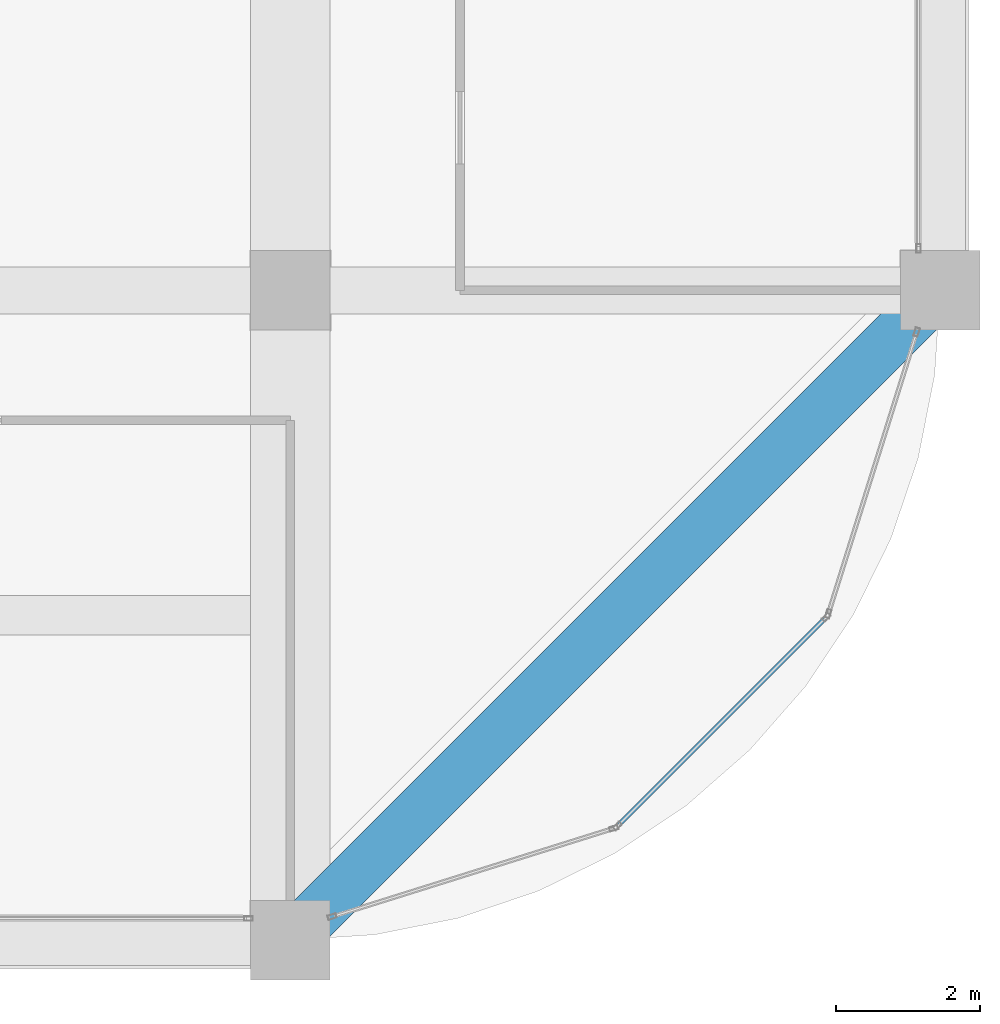
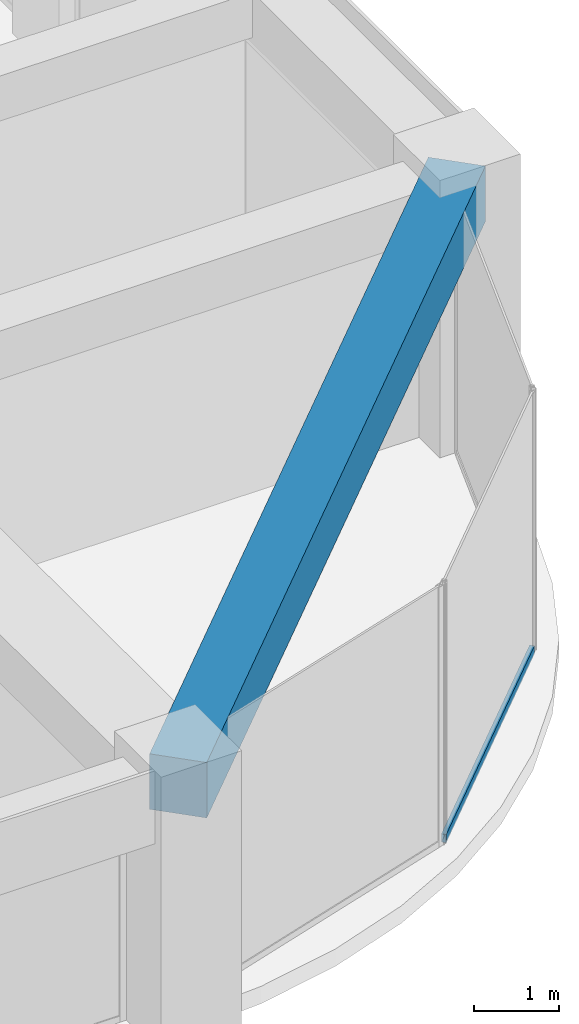
# One storey, part 19 of 44: 1 beam, 1 member, 1 element without a shape of its own.
"""IFC4 building model written with IfcOpenShell, lengths in metres."""

from ifc_helpers import new_model, si_unit, direction, frame, origin, origin_2d, place, context, subcontext, project, spatial, rectangle, hollow_rectangle, extrude, material, material_profile, profile_set, type_object, element, aggregate, save


model = new_model("IFC4")

# Units and contexts
model_context = context("Model", 3, precision=1e-05, world=origin(), true_north=direction((0.0, 1.0)))
body_context = subcontext(model_context, "Body", "Model", "MODEL_VIEW")
ifc_project = project(units=[si_unit("LENGTHUNIT", "METRE"), si_unit("AREAUNIT", "SQUARE_METRE"), si_unit("VOLUMEUNIT", "CUBIC_METRE"), si_unit("PLANEANGLEUNIT", "RADIAN"), si_unit("MASSUNIT", "GRAM", prefix="KILO")], contexts=[model_context])

# Site, building, storey
site_placement = place(None, origin())
site = spatial("IfcSite", under=ifc_project, at=site_placement, CompositionType="ELEMENT")
building_placement = place(site_placement, origin())
building = spatial("IfcBuilding", under=site, at=building_placement, Name="Zorevar Civic Tower", CompositionType="ELEMENT")
storey_placement = place(building_placement, frame((0.0, 0.0, 287.39990234375)))
storey = spatial("IfcBuildingStorey", under=building, at=storey_placement, Name="L70", CompositionType="ELEMENT", Elevation=287.39990234375)

# Curtain wall, member
ifc_material_1 = material(Name="Dark grey solar-control glass in black aluminium frame", Category="aluminium")
curtain_wall_type = type_object("IfcCurtainWallType", Name="Curtain wall CW5 top zone", PredefinedType="NOTDEFINED", material=ifc_material_1)
curtain_wall_placement = place(storey_placement, origin())
curtain_wall = element("IfcCurtainWall", 1, at=curtain_wall_placement, inside=storey, type_object=curtain_wall_type, Name="CW5 L70", PredefinedType="NOTDEFINED")
ifc_material_2 = material(Name="Aluminium, black anodised", Category="aluminium")
ifc_material_profile_1 = material_profile(ifc_material_2, hollow_rectangle(XDim=0.06005859375, YDim=0.1201171875, WallThickness=0.0029296875, at=origin_2d()), Name="AL 120x60x3")
ifc_profile_set_1 = profile_set([ifc_material_profile_1], Name="Aluminium, black anodised")
member_type = type_object("IfcMemberType", Name="CW5 transom AL 120x60x3", PredefinedType="USERDEFINED", material=ifc_profile_set_1)
member_placement = place(storey_placement, frame((49.55029296875, 1.6015625, 0.030029296875), z_axis=(0.707106781187, 0.707106781187, 0.0), x_axis=(-0.707106781187, 0.707106781187, 0.0)))
member = element("IfcMember", 2, at=member_placement, type_object=member_type, Name="CW5 sill transom", ObjectType="TRANSOM", PredefinedType="USERDEFINED", context=body_context, shape_type="SweptSolid", body=[
    extrude(hollow_rectangle(XDim=0.06005859375, YDim=0.1201171875, WallThickness=0.0029296875, at=origin_2d()), origin(), (0.0, 0.0, 1.0), 4.02783203125),
])
aggregate(curtain_wall, [member])

# Beam
ifc_material_3 = material(Name="Concrete C50/60", Category="concrete")
ifc_material_profile_2 = material_profile(ifc_material_3, rectangle(XDim=0.699951171875, YDim=0.800048828125, at=origin_2d()), Name="RC 700x800")
ifc_profile_set_2 = profile_set([ifc_material_profile_2], Name="Concrete C50/60")
beam_type = type_object("IfcBeamType", Name="Edge beam RC 700x800", PredefinedType="SPANDREL", material=ifc_profile_set_2)
beam_placement = place(storey_placement, frame((45.0, 0.0, 3.35009765625), z_axis=(0.707106781187, 0.707106781187, 0.0), x_axis=(-0.707106781187, 0.707106781187, 0.0)))
element("IfcBeam", 3, at=beam_placement, inside=storey, type_object=beam_type, Name="Corner edge beam L71", PredefinedType="SPANDREL", context=body_context, shape_type="SweptSolid", body=[
    extrude(rectangle(XDim=0.699951171875, YDim=0.800048828125, at=origin_2d()), origin(), (0.0, 0.0, 1.0), 12.72802734375),
])

save(model, "model.ifc")
